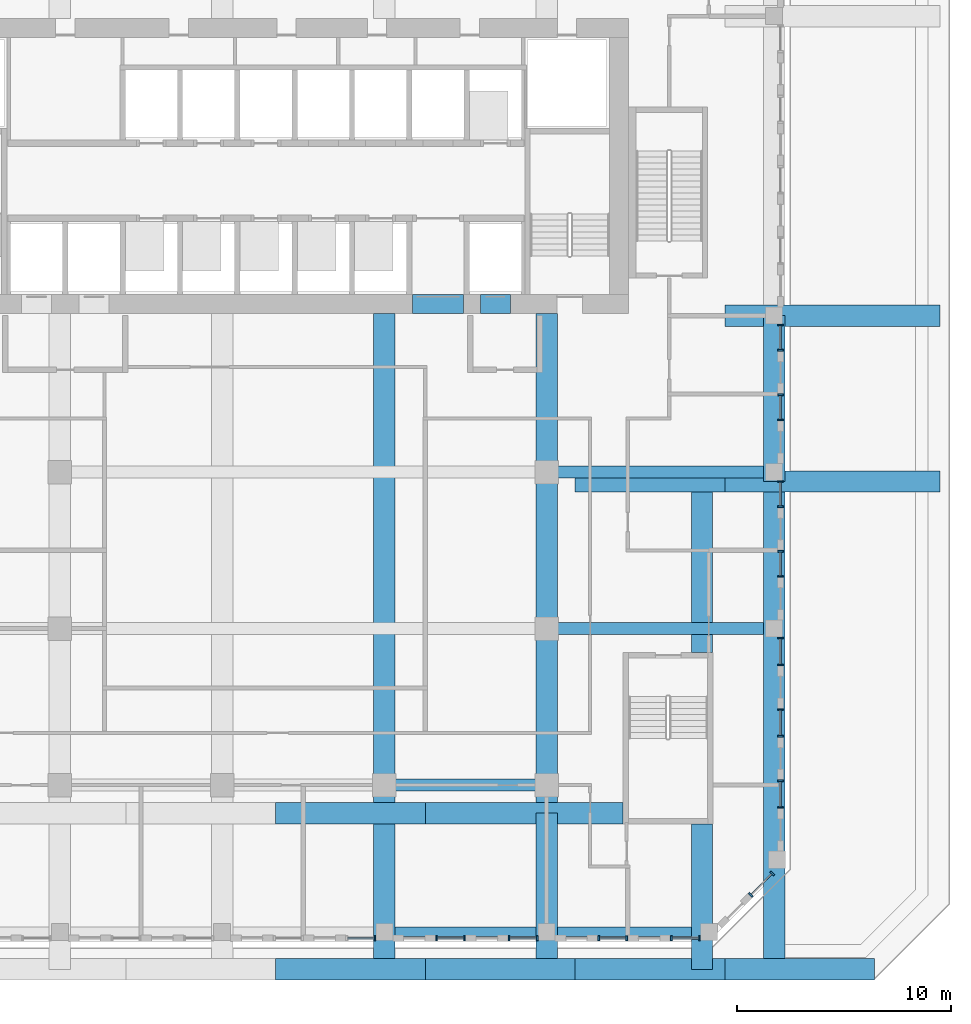
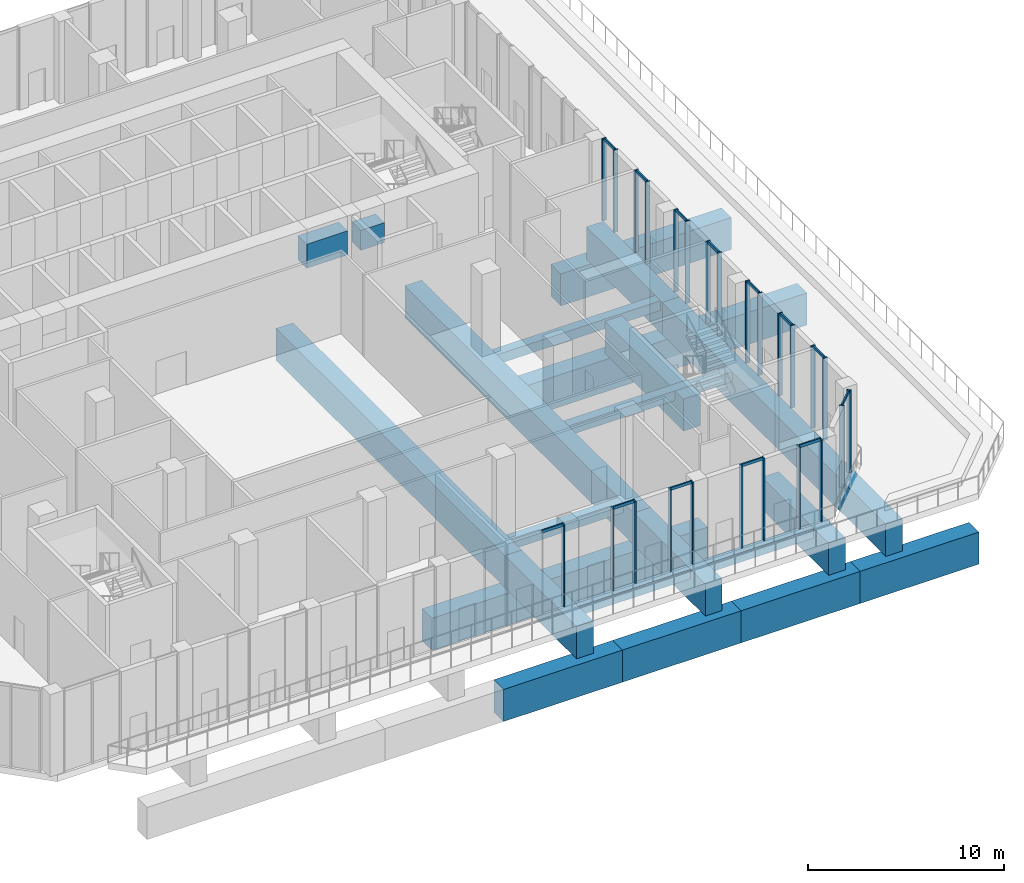
# One storey, part 4 of 19: 38 members, 24 beams, 13 elements without a shape of their own.
"""IFC4 building model written with IfcOpenShell, lengths in metres."""

from ifc_helpers import new_model, si_unit, direction, frame, origin, origin_2d, place, context, subcontext, project, spatial, rectangle, extrude, source, transform, mapped, material, material_profile, profile_set, type_object, element, aggregate, save


model = new_model("IFC4")

# Units and contexts
model_context = context("Model", 3, precision=1e-05, world=origin(), true_north=direction((0.0, 1.0)))
body_context = subcontext(model_context, "Body", "Model", "MODEL_VIEW")
ifc_project = project(units=[si_unit("LENGTHUNIT", "METRE"), si_unit("AREAUNIT", "SQUARE_METRE"), si_unit("VOLUMEUNIT", "CUBIC_METRE"), si_unit("PLANEANGLEUNIT", "RADIAN"), si_unit("MASSUNIT", "GRAM", prefix="KILO")], contexts=[model_context])

# Site, building, storey
site_placement = place(None, origin())
site = spatial("IfcSite", under=ifc_project, at=site_placement, CompositionType="ELEMENT")
building_placement = place(site_placement, origin())
building = spatial("IfcBuilding", under=site, at=building_placement, Name="Kilnfold Tower and Market Hall", CompositionType="ELEMENT")
storey_placement = place(building_placement, frame((0.0, 0.0, 138.5)))
storey = spatial("IfcBuildingStorey", under=building, at=storey_placement, Name="L31", CompositionType="ELEMENT", Elevation=138.5)

# Beams
ifc_material_1 = material(Name="Concrete C70", Category="concrete")
ifc_material_profile_1 = material_profile(ifc_material_1, rectangle(XDim=0.89990234375, YDim=1.25, at=origin_2d()), Name="RC 900x1250")
ifc_profile_set_1 = profile_set([ifc_material_profile_1], Name="Concrete C70")
beam_type_1 = type_object("IfcBeamType", Name="COUPLING BEAM 900X1250 C70", PredefinedType="BEAM", material=ifc_profile_set_1)
shared_shape_1 = source(origin(), body_context, "Body", "SweptSolid", [
    extrude(rectangle(XDim=0.89990234375, YDim=1.25, at=origin_2d()), origin(), (0.0, 0.0, 1.0), 1.39990234375),
])
beam_1_placement = place(storey_placement, frame((11.070068359375, 8.550048828125, 3.324951171875), z_axis=(1.0, 0.0, 0.0), x_axis=(0.0, 1.0, 0.0)))
element("IfcBeam", 1, at=beam_1_placement, inside=storey, type_object=beam_type_1, Name="Coupling beam CB1250-70-CORE.46", PredefinedType="BEAM", context=body_context, shape_type="MappedRepresentation", body=[
    mapped(shared_shape_1, transform((0.0, 0.0, 0.0))),
])
ifc_material_2 = material(Name="Concrete C70", Category="concrete")
ifc_material_profile_2 = material_profile(ifc_material_2, rectangle(XDim=0.89990234375, YDim=1.5, at=origin_2d()), Name="RC 900x1500")
ifc_profile_set_2 = profile_set([ifc_material_profile_2], Name="Concrete C70")
beam_type_2 = type_object("IfcBeamType", Name="COUPLING BEAM 900X1500 C70", PredefinedType="BEAM", material=ifc_profile_set_2)
shared_shape_2 = source(origin(), body_context, "Body", "SweptSolid", [
    extrude(rectangle(XDim=0.89990234375, YDim=1.5, at=origin_2d()), origin(), (0.0, 0.0, 1.0), 2.400146484375),
])
beam_2_placement = place(storey_placement, frame((7.889892578125, 8.550048828125, 3.449951171875), z_axis=(1.0, 0.0, 0.0), x_axis=(0.0, 1.0, 0.0)))
element("IfcBeam", 2, at=beam_2_placement, inside=storey, type_object=beam_type_2, Name="Coupling beam CB1500-70-CORE.44", PredefinedType="BEAM", context=body_context, shape_type="MappedRepresentation", body=[
    mapped(shared_shape_2, transform((0.0, 0.0, 0.0))),
])
ifc_material_3 = material(Name="Concrete C60", Category="concrete")
ifc_material_profile_3 = material_profile(ifc_material_3, rectangle(XDim=1.0, YDim=2.0, at=origin_2d()), Name="RC 1000x2000")
ifc_profile_set_3 = profile_set([ifc_material_profile_3], Name="Concrete C60")
beam_type_3 = type_object("IfcBeamType", Name="TRANSFER GIRDER 1000X2000 C60", PredefinedType="BEAM", material=ifc_profile_set_3)
shared_shape_3 = source(origin(), body_context, "Body", "SweptSolid", [
    extrude(rectangle(XDim=1.0, YDim=2.0, at=origin_2d()), origin(), (0.0, 0.0, 1.0), 10.050048828125),
])
for number, where, z_axis, x_axis, name in (
    (3, (22.5, 0.25, -3.39990234375), (1.0, 0.0, 0.0), (0.0, 1.0, 0.0), "Beam TG2000-B4.24"),
    (4, (22.5, 8.0, -3.39990234375), (1.0, 0.0, 0.0), (0.0, 1.0, 0.0), "Beam TG2000-B4.25"),
):
    element("IfcBeam", number, at=place(storey_placement, frame(where, z_axis=z_axis, x_axis=x_axis)), inside=storey, type_object=beam_type_3, Name=name, PredefinedType="BEAM", context=body_context, shape_type="MappedRepresentation", body=[
        mapped(shared_shape_3, transform((0.0, 0.0, 0.0))),
    ])
shared_shape_4 = source(origin(), body_context, "Body", "SweptSolid", [
    extrude(rectangle(XDim=1.0, YDim=2.0, at=origin_2d()), origin(), (0.0, 0.0, 1.0), 7.0),
])
for number, where, z_axis, x_axis, name in (
    (5, (1.5, -22.550048828125, -3.39990234375), (1.0, 0.0, 0.0), (0.0, 1.0, 0.0), "Beam TG2000-B4.11"),
    (6, (1.5, -15.25, -3.39990234375), (1.0, 0.0, 0.0), (0.0, 1.0, 0.0), "Beam TG2000-B4.12"),
    (7, (8.5, -22.550048828125, -3.39990234375), (1.0, 0.0, 0.0), (0.0, 1.0, 0.0), "Beam TG2000-B4.15"),
    (8, (15.5, -22.550048828125, -3.39990234375), (1.0, 0.0, 0.0), (0.0, 1.0, 0.0), "Beam TG2000-B4.19"),
    (9, (15.5, 0.25, -3.39990234375), (1.0, 0.0, 0.0), (0.0, 1.0, 0.0), "Beam TG2000-B4.20"),
    (10, (22.5, -22.550048828125, -3.39990234375), (1.0, 0.0, 0.0), (0.0, 1.0, 0.0), "Beam TG2000-B4.23"),
):
    element("IfcBeam", number, at=place(storey_placement, frame(where, z_axis=z_axis, x_axis=x_axis)), inside=storey, type_object=beam_type_3, Name=name, PredefinedType="BEAM", context=body_context, shape_type="MappedRepresentation", body=[
        mapped(shared_shape_4, transform((0.0, 0.0, 0.0))),
    ])
shared_shape_5 = source(origin(), body_context, "Body", "SweptSolid", [
    extrude(rectangle(XDim=1.0, YDim=2.0, at=origin_2d()), origin(), (0.0, 0.0, 1.0), 9.25),
])
beam_3_placement = place(storey_placement, frame((8.5, -15.25, -3.39990234375), z_axis=(1.0, 0.0, 0.0), x_axis=(0.0, 1.0, 0.0)))
element("IfcBeam", 11, at=beam_3_placement, inside=storey, type_object=beam_type_3, Name="Beam TG2000-B4.16", PredefinedType="BEAM", context=body_context, shape_type="MappedRepresentation", body=[
    mapped(shared_shape_5, transform((0.0, 0.0, 0.0))),
])
shared_shape_6 = source(origin(), body_context, "Body", "SweptSolid", [
    extrude(rectangle(XDim=1.0, YDim=2.0, at=origin_2d()), origin(), (0.0, 0.0, 1.0), 6.800048828125),
])
beam_4_placement = place(storey_placement, frame((21.429931640625, -22.550048828125, -1.39990234375), z_axis=(0.0, 1.0, 0.0), x_axis=(-1.0, 0.0, 0.0)))
element("IfcBeam", 12, at=beam_4_placement, inside=storey, type_object=beam_type_3, Name="Beam TG2000-B4.47", PredefinedType="BEAM", context=body_context, shape_type="MappedRepresentation", body=[
    mapped(shared_shape_6, transform((0.0, 0.0, 0.0))),
])
shared_shape_7 = source(origin(), body_context, "Body", "SweptSolid", [
    extrude(rectangle(XDim=1.0, YDim=2.0, at=origin_2d()), origin(), (0.0, 0.0, 1.0), 8.0),
])
beam_5_placement = place(storey_placement, frame((21.429931640625, -7.75, -1.39990234375), z_axis=(0.0, 1.0, 0.0), x_axis=(-1.0, 0.0, 0.0)))
element("IfcBeam", 13, at=beam_5_placement, inside=storey, type_object=beam_type_3, Name="Beam TG2000-B4.48", PredefinedType="BEAM", context=body_context, shape_type="MappedRepresentation", body=[
    mapped(shared_shape_7, transform((0.0, 0.0, 0.0))),
])
shared_shape_8 = source(origin(), body_context, "Body", "SweptSolid", [
    extrude(rectangle(XDim=1.0, YDim=2.0, at=origin_2d()), origin(), (0.0, 0.0, 1.0), 7.300048828125),
])
for number, where, z_axis, x_axis, name in (
    (14, (6.580078125, -22.550048828125, -1.39990234375), (0.0, 1.0, 0.0), (-1.0, 0.0, 0.0), "Beam TG2000-B4.39"),
    (15, (14.169921875, -22.550048828125, -1.39990234375), (0.0, 1.0, 0.0), (-1.0, 0.0, 0.0), "Beam TG2000-B4.43"),
):
    element("IfcBeam", number, at=place(storey_placement, frame(where, z_axis=z_axis, x_axis=x_axis)), inside=storey, type_object=beam_type_3, Name=name, PredefinedType="BEAM", context=body_context, shape_type="MappedRepresentation", body=[
        mapped(shared_shape_8, transform((0.0, 0.0, 0.0))),
    ])
shared_shape_9 = source(origin(), body_context, "Body", "SweptSolid", [
    extrude(rectangle(XDim=1.0, YDim=2.0, at=origin_2d()), origin(), (0.0, 0.0, 1.0), 23.35009765625),
])
for number, where, z_axis, x_axis, name in (
    (16, (6.580078125, -15.25, -1.39990234375), (0.0, 1.0, 0.0), (-1.0, 0.0, 0.0), "Beam TG2000-B4.40"),
    (17, (14.169921875, -15.25, -1.39990234375), (0.0, 1.0, 0.0), (-1.0, 0.0, 0.0), "Beam TG2000-B4.44"),
):
    element("IfcBeam", number, at=place(storey_placement, frame(where, z_axis=z_axis, x_axis=x_axis)), inside=storey, type_object=beam_type_3, Name=name, PredefinedType="BEAM", context=body_context, shape_type="MappedRepresentation", body=[
        mapped(shared_shape_9, transform((0.0, 0.0, 0.0))),
    ])
shared_shape_10 = source(origin(), body_context, "Body", "SweptSolid", [
    extrude(rectangle(XDim=1.0, YDim=2.0, at=origin_2d()), origin(), (0.0, 0.0, 1.0), 22.800048828125),
])
beam_6_placement = place(storey_placement, frame((24.800048828125, -22.550048828125, -1.39990234375), z_axis=(0.0, 1.0, 0.0), x_axis=(-1.0, 0.0, 0.0)))
element("IfcBeam", 18, at=beam_6_placement, inside=storey, type_object=beam_type_3, Name="Beam TG2000-B4.50", PredefinedType="BEAM", context=body_context, shape_type="MappedRepresentation", body=[
    mapped(shared_shape_10, transform((0.0, 0.0, 0.0))),
])
shared_shape_11 = source(origin(), body_context, "Body", "SweptSolid", [
    extrude(rectangle(XDim=1.0, YDim=2.0, at=origin_2d()), origin(), (0.0, 0.0, 1.0), 7.75),
])
beam_7_placement = place(storey_placement, frame((24.800048828125, 0.25, -1.39990234375), z_axis=(0.0, 1.0, 0.0), x_axis=(-1.0, 0.0, 0.0)))
element("IfcBeam", 19, at=beam_7_placement, inside=storey, type_object=beam_type_3, Name="Beam TG2000-B4.51", PredefinedType="BEAM", context=body_context, shape_type="MappedRepresentation", body=[
    mapped(shared_shape_11, transform((0.0, 0.0, 0.0))),
])
ifc_material_4 = material(Name="Concrete C45", Category="concrete")
ifc_material_profile_4 = material_profile(ifc_material_4, rectangle(XDim=0.449951171875, YDim=0.60009765625, at=origin_2d()), Name="RC 450x600")
ifc_profile_set_4 = profile_set([ifc_material_profile_4], Name="Concrete C45")
beam_type_4 = type_object("IfcBeamType", Name="EDGE BEAM 450X600 C45", PredefinedType="BEAM", material=ifc_profile_set_4)
shared_shape_12 = source(origin(), body_context, "Body", "SweptSolid", [
    extrude(rectangle(XDim=0.449951171875, YDim=0.60009765625, at=origin_2d()), origin(), (0.0, 0.0, 1.0), 6.58984375),
])
beam_8_placement = place(storey_placement, frame((7.080078125, -20.800048828125, -0.699951171875), z_axis=(1.0, 0.0, 0.0), x_axis=(0.0, 1.0, 0.0)))
element("IfcBeam", 20, at=beam_8_placement, inside=storey, type_object=beam_type_4, Name="Beam EB600-B4.57", PredefinedType="BEAM", context=body_context, shape_type="MappedRepresentation", body=[
    mapped(shared_shape_12, transform((0.0, 0.0, 0.0))),
])
shared_shape_13 = source(origin(), body_context, "Body", "SweptSolid", [
    extrude(rectangle(XDim=0.449951171875, YDim=0.60009765625, at=origin_2d()), origin(), (0.0, 0.0, 1.0), 6.260009765625),
])
beam_9_placement = place(storey_placement, frame((14.669921875, -20.800048828125, -0.699951171875), z_axis=(1.0, 0.0, 0.0), x_axis=(0.0, 1.0, 0.0)))
element("IfcBeam", 21, at=beam_9_placement, inside=storey, type_object=beam_type_4, Name="Beam EB600-B4.58", PredefinedType="BEAM", context=body_context, shape_type="MappedRepresentation", body=[
    mapped(shared_shape_13, transform((0.0, 0.0, 0.0))),
])
ifc_material_5 = material(Name="Concrete C45", Category="concrete")
ifc_material_profile_5 = material_profile(ifc_material_5, rectangle(XDim=0.550048828125, YDim=0.60009765625, at=origin_2d()), Name="RC 550x600")
ifc_profile_set_5 = profile_set([ifc_material_profile_5], Name="Concrete C45")
beam_type_5 = type_object("IfcBeamType", Name="BEAM 550X600 C45", PredefinedType="BEAM", material=ifc_profile_set_5)
shared_shape_14 = source(origin(), body_context, "Body", "SweptSolid", [
    extrude(rectangle(XDim=0.550048828125, YDim=0.60009765625, at=origin_2d()), origin(), (0.0, 0.0, 1.0), 6.58984375),
])
beam_10_placement = place(storey_placement, frame((7.080078125, -13.93994140625, -0.699951171875), z_axis=(1.0, 0.0, 0.0), x_axis=(0.0, 1.0, 0.0)))
element("IfcBeam", 22, at=beam_10_placement, inside=storey, type_object=beam_type_5, Name="Beam BB600-B4.61", PredefinedType="BEAM", context=body_context, shape_type="MappedRepresentation", body=[
    mapped(shared_shape_14, transform((0.0, 0.0, 0.0))),
])
shared_shape_15 = source(origin(), body_context, "Body", "SweptSolid", [
    extrude(rectangle(XDim=0.550048828125, YDim=0.60009765625, at=origin_2d()), origin(), (0.0, 0.0, 1.0), 9.630126953125),
])
for number, where, z_axis, x_axis, name in (
    (23, (14.669921875, -6.6201171875, -0.699951171875), (1.0, 0.0, 0.0), (0.0, 1.0, 0.0), "Beam BB600-B4.64"),
    (24, (14.669921875, 0.68994140625, -0.699951171875), (1.0, 0.0, 0.0), (0.0, 1.0, 0.0), "Beam BB600-B4.66"),
):
    element("IfcBeam", number, at=place(storey_placement, frame(where, z_axis=z_axis, x_axis=x_axis)), inside=storey, type_object=beam_type_5, Name=name, PredefinedType="BEAM", context=body_context, shape_type="MappedRepresentation", body=[
        mapped(shared_shape_15, transform((0.0, 0.0, 0.0))),
    ])

# Curtain wall, member
ifc_material_6 = material(Name="Aluminium and double glazing", Category="aluminium")
curtain_wall_type = type_object("IfcCurtainWallType", Name="CW SKY LOBBY GLAZING", PredefinedType="NOTDEFINED", material=ifc_material_6)
curtain_wall_1_placement = place(storey_placement, origin())
curtain_wall_1 = element("IfcCurtainWall", 25, at=curtain_wall_1_placement, inside=storey, type_object=curtain_wall_type, Name="Curtain wall CW3 L31 S", PredefinedType="NOTDEFINED")
ifc_material_7 = material(Name="Aluminium", Category="aluminium")
ifc_material_profile_6 = material_profile(ifc_material_7, rectangle(XDim=0.080078125, YDim=0.25, at=origin_2d()), Name="MULLION 80x250")
ifc_profile_set_6 = profile_set([ifc_material_profile_6], Name="Aluminium")
member_type_1 = type_object("IfcMemberType", Name="MULLION 80X250", PredefinedType="MULLION", material=ifc_profile_set_6)
shared_shape_16 = source(origin(), body_context, "Body", "SweptSolid", [
    extrude(rectangle(XDim=0.080078125, YDim=0.25, at=origin_2d()), origin(), (0.0, 0.0, 1.0), 5.1201171875),
])
member_1_placement = place(storey_placement, frame((6.143310546875, -21.10009765625, 0.0), z_axis=(0.0, 0.0, 1.0), x_axis=(1.0, 0.0, 0.0)))
member_1 = element("IfcMember", 26, at=member_1_placement, type_object=member_type_1, Name="CW3 mullion 2", PredefinedType="MULLION", context=body_context, shape_type="MappedRepresentation", body=[
    mapped(shared_shape_16, transform((0.0, 0.0, 0.0))),
])

# Curtain wall, members
curtain_wall_2_placement = place(storey_placement, origin())
curtain_wall_2 = element("IfcCurtainWall", 27, at=curtain_wall_2_placement, inside=storey, type_object=curtain_wall_type, Name="Curtain wall CW3 L31 S", PredefinedType="NOTDEFINED")
member_2_placement = place(storey_placement, frame((9.023193359375, -21.10009765625, 0.0), z_axis=(0.0, 0.0, 1.0), x_axis=(1.0, 0.0, 0.0)))
member_2 = element("IfcMember", 28, at=member_2_placement, type_object=member_type_1, Name="CW3 mullion 1", PredefinedType="MULLION", context=body_context, shape_type="MappedRepresentation", body=[
    mapped(shared_shape_16, transform((0.0, 0.0, 0.0))),
])
member_3_placement = place(storey_placement, frame((10.3349609375, -21.10009765625, 0.0), z_axis=(0.0, 0.0, 1.0), x_axis=(1.0, 0.0, 0.0)))
member_3 = element("IfcMember", 29, at=member_3_placement, type_object=member_type_1, Name="CW3 mullion 2", PredefinedType="MULLION", context=body_context, shape_type="MappedRepresentation", body=[
    mapped(shared_shape_16, transform((0.0, 0.0, 0.0))),
])

curtain_wall_3_placement = place(storey_placement, origin())
curtain_wall_3 = element("IfcCurtainWall", 30, at=curtain_wall_3_placement, inside=storey, type_object=curtain_wall_type, Name="Curtain wall CW3 L31 S", PredefinedType="NOTDEFINED")
member_4_placement = place(storey_placement, frame((12.4150390625, -21.10009765625, 0.0), z_axis=(0.0, 0.0, 1.0), x_axis=(1.0, 0.0, 0.0)))
member_4 = element("IfcMember", 31, at=member_4_placement, type_object=member_type_1, Name="CW3 mullion 1", PredefinedType="MULLION", context=body_context, shape_type="MappedRepresentation", body=[
    mapped(shared_shape_16, transform((0.0, 0.0, 0.0))),
])
member_5_placement = place(storey_placement, frame((13.726806640625, -21.10009765625, 0.0), z_axis=(0.0, 0.0, 1.0), x_axis=(1.0, 0.0, 0.0)))
member_5 = element("IfcMember", 32, at=member_5_placement, type_object=member_type_1, Name="CW3 mullion 2", PredefinedType="MULLION", context=body_context, shape_type="MappedRepresentation", body=[
    mapped(shared_shape_16, transform((0.0, 0.0, 0.0))),
])

curtain_wall_4_placement = place(storey_placement, origin())
curtain_wall_4 = element("IfcCurtainWall", 33, at=curtain_wall_4_placement, inside=storey, type_object=curtain_wall_type, Name="Curtain wall CW3 L31 S", PredefinedType="NOTDEFINED")
member_6_placement = place(storey_placement, frame((16.606689453125, -21.10009765625, 0.0), z_axis=(0.0, 0.0, 1.0), x_axis=(1.0, 0.0, 0.0)))
member_6 = element("IfcMember", 34, at=member_6_placement, type_object=member_type_1, Name="CW3 mullion 1", PredefinedType="MULLION", context=body_context, shape_type="MappedRepresentation", body=[
    mapped(shared_shape_16, transform((0.0, 0.0, 0.0))),
])
member_7_placement = place(storey_placement, frame((17.918212890625, -21.10009765625, 0.0), z_axis=(0.0, 0.0, 1.0), x_axis=(1.0, 0.0, 0.0)))
member_7 = element("IfcMember", 35, at=member_7_placement, type_object=member_type_1, Name="CW3 mullion 2", PredefinedType="MULLION", context=body_context, shape_type="MappedRepresentation", body=[
    mapped(shared_shape_16, transform((0.0, 0.0, 0.0))),
])

curtain_wall_5_placement = place(storey_placement, origin())
curtain_wall_5 = element("IfcCurtainWall", 36, at=curtain_wall_5_placement, inside=storey, type_object=curtain_wall_type, Name="Curtain wall CW3 L31 S", PredefinedType="NOTDEFINED")
member_8_placement = place(storey_placement, frame((19.998291015625, -21.10009765625, 0.0), z_axis=(0.0, 0.0, 1.0), x_axis=(1.0, 0.0, 0.0)))
member_8 = element("IfcMember", 37, at=member_8_placement, type_object=member_type_1, Name="CW3 mullion 1", PredefinedType="MULLION", context=body_context, shape_type="MappedRepresentation", body=[
    mapped(shared_shape_16, transform((0.0, 0.0, 0.0))),
])
member_9_placement = place(storey_placement, frame((21.31005859375, -21.10009765625, 0.0), z_axis=(0.0, 0.0, 1.0), x_axis=(1.0, 0.0, 0.0)))
member_9 = element("IfcMember", 38, at=member_9_placement, type_object=member_type_1, Name="CW3 mullion 2", PredefinedType="MULLION", context=body_context, shape_type="MappedRepresentation", body=[
    mapped(shared_shape_16, transform((0.0, 0.0, 0.0))),
])

curtain_wall_6_placement = place(storey_placement, origin())
curtain_wall_6 = element("IfcCurtainWall", 39, at=curtain_wall_6_placement, inside=storey, type_object=curtain_wall_type, Name="Curtain wall CW3 L31 SE", PredefinedType="NOTDEFINED")
member_10_placement = place(storey_placement, frame((23.71142578125, -19.076416015625, 0.0), z_axis=(0.0, 0.0, 1.0), x_axis=(0.707106781187, 0.707106781187, 0.0)))
member_10 = element("IfcMember", 40, at=member_10_placement, type_object=member_type_1, Name="CW3 mullion 1", PredefinedType="MULLION", context=body_context, shape_type="MappedRepresentation", body=[
    mapped(shared_shape_16, transform((0.0, 0.0, 0.0))),
])
member_11_placement = place(storey_placement, frame((24.7158203125, -18.072265625, 0.0), z_axis=(0.0, 0.0, 1.0), x_axis=(0.707106781187, 0.707106781187, 0.0)))
member_11 = element("IfcMember", 41, at=member_11_placement, type_object=member_type_1, Name="CW3 mullion 2", PredefinedType="MULLION", context=body_context, shape_type="MappedRepresentation", body=[
    mapped(shared_shape_16, transform((0.0, 0.0, 0.0))),
])

curtain_wall_7_placement = place(storey_placement, origin())
curtain_wall_7 = element("IfcCurtainWall", 42, at=curtain_wall_7_placement, inside=storey, type_object=curtain_wall_type, Name="Curtain wall CW3 L31 E", PredefinedType="NOTDEFINED")
member_12_placement = place(storey_placement, frame((25.10009765625, -14.99169921875, 0.0), z_axis=(0.0, 0.0, 1.0), x_axis=(0.0, 1.0, 0.0)))
member_12 = element("IfcMember", 43, at=member_12_placement, type_object=member_type_1, Name="CW3 mullion 1", PredefinedType="MULLION", context=body_context, shape_type="MappedRepresentation", body=[
    mapped(shared_shape_16, transform((0.0, 0.0, 0.0))),
])
member_13_placement = place(storey_placement, frame((25.10009765625, -13.736083984375, 0.0), z_axis=(0.0, 0.0, 1.0), x_axis=(0.0, 1.0, 0.0)))
member_13 = element("IfcMember", 44, at=member_13_placement, type_object=member_type_1, Name="CW3 mullion 2", PredefinedType="MULLION", context=body_context, shape_type="MappedRepresentation", body=[
    mapped(shared_shape_16, transform((0.0, 0.0, 0.0))),
])

curtain_wall_8_placement = place(storey_placement, origin())
curtain_wall_8 = element("IfcCurtainWall", 45, at=curtain_wall_8_placement, inside=storey, type_object=curtain_wall_type, Name="Curtain wall CW3 L31 E", PredefinedType="NOTDEFINED")
member_14_placement = place(storey_placement, frame((25.10009765625, -11.65625, 0.0), z_axis=(0.0, 0.0, 1.0), x_axis=(0.0, 1.0, 0.0)))
member_14 = element("IfcMember", 46, at=member_14_placement, type_object=member_type_1, Name="CW3 mullion 1", PredefinedType="MULLION", context=body_context, shape_type="MappedRepresentation", body=[
    mapped(shared_shape_16, transform((0.0, 0.0, 0.0))),
])
member_15_placement = place(storey_placement, frame((25.10009765625, -10.400634765625, 0.0), z_axis=(0.0, 0.0, 1.0), x_axis=(0.0, 1.0, 0.0)))
member_15 = element("IfcMember", 47, at=member_15_placement, type_object=member_type_1, Name="CW3 mullion 2", PredefinedType="MULLION", context=body_context, shape_type="MappedRepresentation", body=[
    mapped(shared_shape_16, transform((0.0, 0.0, 0.0))),
])

curtain_wall_9_placement = place(storey_placement, origin())
curtain_wall_9 = element("IfcCurtainWall", 48, at=curtain_wall_9_placement, inside=storey, type_object=curtain_wall_type, Name="Curtain wall CW3 L31 E", PredefinedType="NOTDEFINED")
member_16_placement = place(storey_placement, frame((25.10009765625, -8.320556640625, 0.0), z_axis=(0.0, 0.0, 1.0), x_axis=(0.0, 1.0, 0.0)))
member_16 = element("IfcMember", 49, at=member_16_placement, type_object=member_type_1, Name="CW3 mullion 1", PredefinedType="MULLION", context=body_context, shape_type="MappedRepresentation", body=[
    mapped(shared_shape_16, transform((0.0, 0.0, 0.0))),
])
member_17_placement = place(storey_placement, frame((25.10009765625, -7.06494140625, 0.0), z_axis=(0.0, 0.0, 1.0), x_axis=(0.0, 1.0, 0.0)))
member_17 = element("IfcMember", 50, at=member_17_placement, type_object=member_type_1, Name="CW3 mullion 2", PredefinedType="MULLION", context=body_context, shape_type="MappedRepresentation", body=[
    mapped(shared_shape_16, transform((0.0, 0.0, 0.0))),
])

curtain_wall_10_placement = place(storey_placement, origin())
curtain_wall_10 = element("IfcCurtainWall", 51, at=curtain_wall_10_placement, inside=storey, type_object=curtain_wall_type, Name="Curtain wall CW3 L31 E", PredefinedType="NOTDEFINED")
member_18_placement = place(storey_placement, frame((25.10009765625, -4.18505859375, 0.0), z_axis=(0.0, 0.0, 1.0), x_axis=(0.0, 1.0, 0.0)))
member_18 = element("IfcMember", 52, at=member_18_placement, type_object=member_type_1, Name="CW3 mullion 1", PredefinedType="MULLION", context=body_context, shape_type="MappedRepresentation", body=[
    mapped(shared_shape_16, transform((0.0, 0.0, 0.0))),
])
member_19_placement = place(storey_placement, frame((25.10009765625, -3.0087890625, 0.0), z_axis=(0.0, 0.0, 1.0), x_axis=(0.0, 1.0, 0.0)))
member_19 = element("IfcMember", 53, at=member_19_placement, type_object=member_type_1, Name="CW3 mullion 2", PredefinedType="MULLION", context=body_context, shape_type="MappedRepresentation", body=[
    mapped(shared_shape_16, transform((0.0, 0.0, 0.0))),
])

curtain_wall_11_placement = place(storey_placement, origin())
curtain_wall_11 = element("IfcCurtainWall", 54, at=curtain_wall_11_placement, inside=storey, type_object=curtain_wall_type, Name="Curtain wall CW3 L31 E", PredefinedType="NOTDEFINED")
member_20_placement = place(storey_placement, frame((25.10009765625, -0.9287109375, 0.0), z_axis=(0.0, 0.0, 1.0), x_axis=(0.0, 1.0, 0.0)))
member_20 = element("IfcMember", 55, at=member_20_placement, type_object=member_type_1, Name="CW3 mullion 1", PredefinedType="MULLION", context=body_context, shape_type="MappedRepresentation", body=[
    mapped(shared_shape_16, transform((0.0, 0.0, 0.0))),
])
member_21_placement = place(storey_placement, frame((25.10009765625, 0.24755859375, 0.0), z_axis=(0.0, 0.0, 1.0), x_axis=(0.0, 1.0, 0.0)))
member_21 = element("IfcMember", 56, at=member_21_placement, type_object=member_type_1, Name="CW3 mullion 2", PredefinedType="MULLION", context=body_context, shape_type="MappedRepresentation", body=[
    mapped(shared_shape_16, transform((0.0, 0.0, 0.0))),
])

curtain_wall_12_placement = place(storey_placement, origin())
curtain_wall_12 = element("IfcCurtainWall", 57, at=curtain_wall_12_placement, inside=storey, type_object=curtain_wall_type, Name="Curtain wall CW3 L31 E", PredefinedType="NOTDEFINED")
member_22_placement = place(storey_placement, frame((25.10009765625, 3.12744140625, 0.0), z_axis=(0.0, 0.0, 1.0), x_axis=(0.0, 1.0, 0.0)))
member_22 = element("IfcMember", 58, at=member_22_placement, type_object=member_type_1, Name="CW3 mullion 1", PredefinedType="MULLION", context=body_context, shape_type="MappedRepresentation", body=[
    mapped(shared_shape_16, transform((0.0, 0.0, 0.0))),
])
member_23_placement = place(storey_placement, frame((25.10009765625, 4.3037109375, 0.0), z_axis=(0.0, 0.0, 1.0), x_axis=(0.0, 1.0, 0.0)))
member_23 = element("IfcMember", 59, at=member_23_placement, type_object=member_type_1, Name="CW3 mullion 2", PredefinedType="MULLION", context=body_context, shape_type="MappedRepresentation", body=[
    mapped(shared_shape_16, transform((0.0, 0.0, 0.0))),
])

curtain_wall_13_placement = place(storey_placement, origin())
curtain_wall_13 = element("IfcCurtainWall", 60, at=curtain_wall_13_placement, inside=storey, type_object=curtain_wall_type, Name="Curtain wall CW3 L31 E", PredefinedType="NOTDEFINED")
member_24_placement = place(storey_placement, frame((25.10009765625, 6.3837890625, 0.0), z_axis=(0.0, 0.0, 1.0), x_axis=(0.0, 1.0, 0.0)))
member_24 = element("IfcMember", 61, at=member_24_placement, type_object=member_type_1, Name="CW3 mullion 1", PredefinedType="MULLION", context=body_context, shape_type="MappedRepresentation", body=[
    mapped(shared_shape_16, transform((0.0, 0.0, 0.0))),
])
member_25_placement = place(storey_placement, frame((25.10009765625, 7.56005859375, 0.0), z_axis=(0.0, 0.0, 1.0), x_axis=(0.0, 1.0, 0.0)))
member_25 = element("IfcMember", 62, at=member_25_placement, type_object=member_type_1, Name="CW3 mullion 2", PredefinedType="MULLION", context=body_context, shape_type="MappedRepresentation", body=[
    mapped(shared_shape_16, transform((0.0, 0.0, 0.0))),
])

# Member
ifc_material_8 = material(Name="Aluminium", Category="aluminium")
ifc_material_profile_7 = material_profile(ifc_material_8, rectangle(XDim=0.080078125, YDim=0.179931640625, at=origin_2d()), Name="TRANSOM 80x180")
ifc_profile_set_7 = profile_set([ifc_material_profile_7], Name="Aluminium")
member_type_2 = type_object("IfcMemberType", Name="TRANSOM 80X180", PredefinedType="USERDEFINED", material=ifc_profile_set_7)
shared_shape_17 = source(origin(), body_context, "Body", "SweptSolid", [
    extrude(rectangle(XDim=0.080078125, YDim=0.179931640625, at=origin_2d()), origin(), (0.0, 0.0, 1.0), 1.231689453125),
])
member_26_placement = place(storey_placement, frame((4.87158203125, -21.10009765625, 5.080078125), z_axis=(1.0, 0.0, 0.0), x_axis=(0.0, 1.0, 0.0)))
member_26 = element("IfcMember", 63, at=member_26_placement, type_object=member_type_2, Name="CW3 transom 1.2", ObjectType="TRANSOM", PredefinedType="USERDEFINED", context=body_context, shape_type="MappedRepresentation", body=[
    mapped(shared_shape_17, transform((0.0, 0.0, 0.0))),
])

aggregate(curtain_wall_1, [member_1, member_26])

member_27_placement = place(storey_placement, frame((9.063232421875, -21.10009765625, 5.080078125), z_axis=(1.0, 0.0, 0.0), x_axis=(0.0, 1.0, 0.0)))
member_27 = element("IfcMember", 64, at=member_27_placement, type_object=member_type_2, Name="CW3 transom 1.2", ObjectType="TRANSOM", PredefinedType="USERDEFINED", context=body_context, shape_type="MappedRepresentation", body=[
    mapped(shared_shape_17, transform((0.0, 0.0, 0.0))),
])

aggregate(curtain_wall_2, [member_2, member_3, member_27])

member_28_placement = place(storey_placement, frame((12.455078125, -21.10009765625, 5.080078125), z_axis=(1.0, 0.0, 0.0), x_axis=(0.0, 1.0, 0.0)))
member_28 = element("IfcMember", 65, at=member_28_placement, type_object=member_type_2, Name="CW3 transom 1.2", ObjectType="TRANSOM", PredefinedType="USERDEFINED", context=body_context, shape_type="MappedRepresentation", body=[
    mapped(shared_shape_17, transform((0.0, 0.0, 0.0))),
])

aggregate(curtain_wall_3, [member_4, member_5, member_28])

member_29_placement = place(storey_placement, frame((16.646728515625, -21.10009765625, 5.080078125), z_axis=(1.0, 0.0, 0.0), x_axis=(0.0, 1.0, 0.0)))
member_29 = element("IfcMember", 66, at=member_29_placement, type_object=member_type_2, Name="CW3 transom 1.2", ObjectType="TRANSOM", PredefinedType="USERDEFINED", context=body_context, shape_type="MappedRepresentation", body=[
    mapped(shared_shape_17, transform((0.0, 0.0, 0.0))),
])

aggregate(curtain_wall_4, [member_6, member_7, member_29])

member_30_placement = place(storey_placement, frame((20.038330078125, -21.10009765625, 5.080078125), z_axis=(1.0, 0.0, 0.0), x_axis=(0.0, 1.0, 0.0)))
member_30 = element("IfcMember", 67, at=member_30_placement, type_object=member_type_2, Name="CW3 transom 1.2", ObjectType="TRANSOM", PredefinedType="USERDEFINED", context=body_context, shape_type="MappedRepresentation", body=[
    mapped(shared_shape_17, transform((0.0, 0.0, 0.0))),
])

aggregate(curtain_wall_5, [member_8, member_9, member_30])

shared_shape_18 = source(origin(), body_context, "Body", "SweptSolid", [
    extrude(rectangle(XDim=0.080078125, YDim=0.179931640625, at=origin_2d()), origin(), (0.0, 0.0, 1.0), 1.340087890625),
])
member_31_placement = place(storey_placement, frame((23.73974609375, -19.048095703125, 5.080078125), z_axis=(0.707197862113, 0.707015688527, 0.0), x_axis=(-0.707015688527, 0.707197862113, 0.0)))
member_31 = element("IfcMember", 68, at=member_31_placement, type_object=member_type_2, Name="CW3 transom 1.2", ObjectType="TRANSOM", PredefinedType="USERDEFINED", context=body_context, shape_type="MappedRepresentation", body=[
    mapped(shared_shape_18, transform((0.0, 0.0, 0.0))),
])

aggregate(curtain_wall_6, [member_10, member_11, member_31])

shared_shape_19 = source(origin(), body_context, "Body", "SweptSolid", [
    extrude(rectangle(XDim=0.080078125, YDim=0.179931640625, at=origin_2d()), origin(), (0.0, 0.0, 1.0), 1.17578125),
])
member_32_placement = place(storey_placement, frame((25.10009765625, -14.951904296875, 5.080078125), z_axis=(0.0, 1.0, 0.0), x_axis=(-1.0, 0.0, 0.0)))
member_32 = element("IfcMember", 69, at=member_32_placement, type_object=member_type_2, Name="CW3 transom 1.2", ObjectType="TRANSOM", PredefinedType="USERDEFINED", context=body_context, shape_type="MappedRepresentation", body=[
    mapped(shared_shape_19, transform((0.0, 0.0, 0.0))),
])

aggregate(curtain_wall_7, [member_12, member_13, member_32])

shared_shape_20 = source(origin(), body_context, "Body", "SweptSolid", [
    extrude(rectangle(XDim=0.080078125, YDim=0.179931640625, at=origin_2d()), origin(), (0.0, 0.0, 1.0), 1.175537109375),
])
member_33_placement = place(storey_placement, frame((25.10009765625, -11.6162109375, 5.080078125), z_axis=(0.0, 1.0, 0.0), x_axis=(-1.0, 0.0, 0.0)))
member_33 = element("IfcMember", 70, at=member_33_placement, type_object=member_type_2, Name="CW3 transom 1.2", ObjectType="TRANSOM", PredefinedType="USERDEFINED", context=body_context, shape_type="MappedRepresentation", body=[
    mapped(shared_shape_20, transform((0.0, 0.0, 0.0))),
])

aggregate(curtain_wall_8, [member_14, member_15, member_33])

member_34_placement = place(storey_placement, frame((25.10009765625, -8.280517578125, 5.080078125), z_axis=(0.0, 1.0, 0.0), x_axis=(-1.0, 0.0, 0.0)))
member_34 = element("IfcMember", 71, at=member_34_placement, type_object=member_type_2, Name="CW3 transom 1.2", ObjectType="TRANSOM", PredefinedType="USERDEFINED", context=body_context, shape_type="MappedRepresentation", body=[
    mapped(shared_shape_20, transform((0.0, 0.0, 0.0))),
])

aggregate(curtain_wall_9, [member_16, member_17, member_34])

shared_shape_21 = source(origin(), body_context, "Body", "SweptSolid", [
    extrude(rectangle(XDim=0.080078125, YDim=0.179931640625, at=origin_2d()), origin(), (0.0, 0.0, 1.0), 1.09619140625),
])
member_35_placement = place(storey_placement, frame((25.10009765625, -4.14501953125, 5.080078125), z_axis=(0.0, 1.0, 0.0), x_axis=(-1.0, 0.0, 0.0)))
member_35 = element("IfcMember", 72, at=member_35_placement, type_object=member_type_2, Name="CW3 transom 1.2", ObjectType="TRANSOM", PredefinedType="USERDEFINED", context=body_context, shape_type="MappedRepresentation", body=[
    mapped(shared_shape_21, transform((0.0, 0.0, 0.0))),
])

aggregate(curtain_wall_10, [member_18, member_19, member_35])

member_36_placement = place(storey_placement, frame((25.10009765625, 6.423828125, 5.080078125), z_axis=(0.0, 1.0, 0.0), x_axis=(-1.0, 0.0, 0.0)))
member_36 = element("IfcMember", 73, at=member_36_placement, type_object=member_type_2, Name="CW3 transom 1.2", ObjectType="TRANSOM", PredefinedType="USERDEFINED", context=body_context, shape_type="MappedRepresentation", body=[
    mapped(shared_shape_21, transform((0.0, 0.0, 0.0))),
])

aggregate(curtain_wall_13, [member_24, member_25, member_36])

shared_shape_22 = source(origin(), body_context, "Body", "SweptSolid", [
    extrude(rectangle(XDim=0.080078125, YDim=0.179931640625, at=origin_2d()), origin(), (0.0, 0.0, 1.0), 1.096435546875),
])
member_37_placement = place(storey_placement, frame((25.10009765625, -0.888916015625, 5.080078125), z_axis=(0.0, 1.0, 0.0), x_axis=(-1.0, 0.0, 0.0)))
member_37 = element("IfcMember", 74, at=member_37_placement, type_object=member_type_2, Name="CW3 transom 1.2", ObjectType="TRANSOM", PredefinedType="USERDEFINED", context=body_context, shape_type="MappedRepresentation", body=[
    mapped(shared_shape_22, transform((0.0, 0.0, 0.0))),
])

aggregate(curtain_wall_11, [member_20, member_21, member_37])

member_38_placement = place(storey_placement, frame((25.10009765625, 3.16748046875, 5.080078125), z_axis=(0.0, 1.0, 0.0), x_axis=(-1.0, 0.0, 0.0)))
member_38 = element("IfcMember", 75, at=member_38_placement, type_object=member_type_2, Name="CW3 transom 1.2", ObjectType="TRANSOM", PredefinedType="USERDEFINED", context=body_context, shape_type="MappedRepresentation", body=[
    mapped(shared_shape_22, transform((0.0, 0.0, 0.0))),
])

aggregate(curtain_wall_12, [member_22, member_23, member_38])

save(model, "model.ifc")
